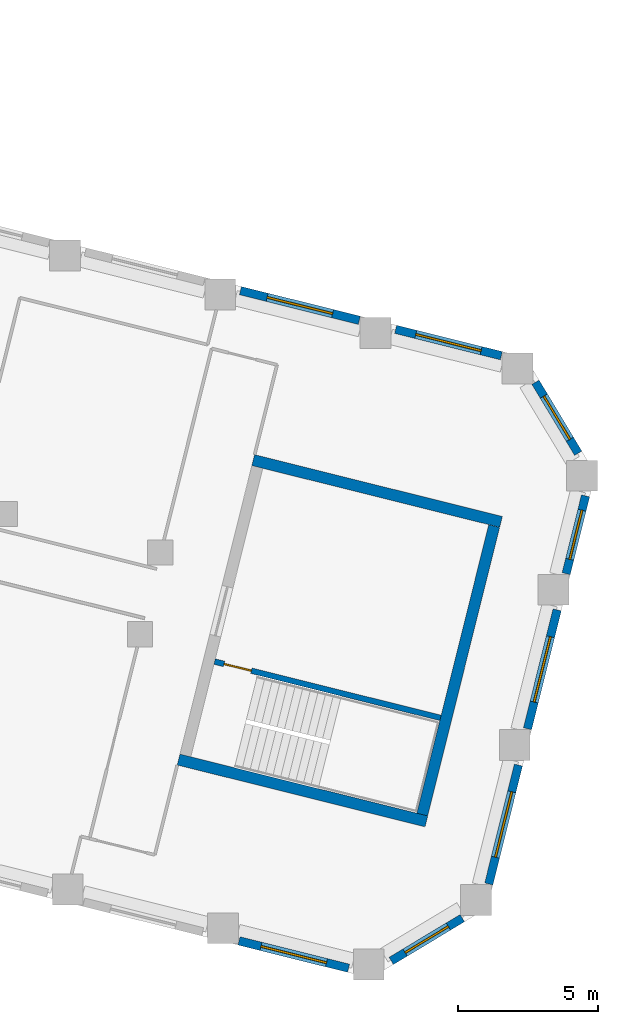
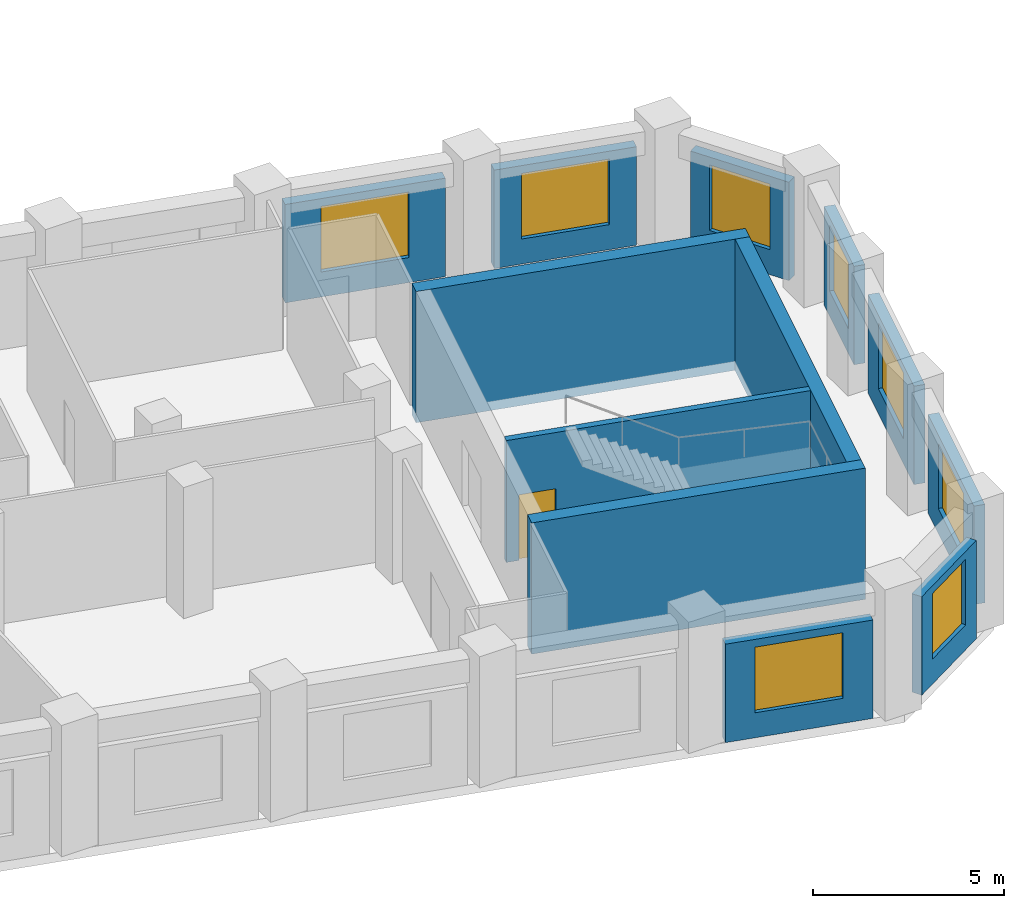
# One storey, part 7 of 10: 12 walls, 8 windows, 1 door, 9 openings.
"""IFC4 building model written with IfcOpenShell, lengths in metres."""

from ifc_helpers import new_model, si_unit, direction, frame, frame_2d, origin, place, context, subcontext, project, spatial, rectangle, extrude, material, layer, layer_set, type_object, element, fill, save


model = new_model("IFC4")

# Units and contexts
model_context = context("Model", 3, precision=1e-05, world=origin(), true_north=direction((0.0, 1.0)))
body_context = subcontext(model_context, "Body", "Model", "MODEL_VIEW")
ifc_project = project(units=[si_unit("LENGTHUNIT", "METRE"), si_unit("AREAUNIT", "SQUARE_METRE"), si_unit("VOLUMEUNIT", "CUBIC_METRE"), si_unit("PLANEANGLEUNIT", "RADIAN"), si_unit("MASSUNIT", "GRAM", prefix="KILO")], contexts=[model_context])

# Site, building, storey
site_placement = place(None, origin())
site = spatial("IfcSite", under=ifc_project, at=site_placement, CompositionType="ELEMENT")
building_placement = place(site_placement, origin())
building = spatial("IfcBuilding", under=site, at=building_placement, Name="Meshkara Civic Tower", CompositionType="ELEMENT")
storey_placement = place(building_placement, frame((0.0, 0.0, 255.0)))
storey = spatial("IfcBuildingStorey", under=building, at=storey_placement, Name="L58", CompositionType="ELEMENT", Elevation=255.0)

# Wall, opening, window
ifc_material_1 = material(Name="Insulated infill panel with bronze anodised aluminium cladding", Category="aluminium")
ifc_layer_1 = layer(ifc_material_1, 0.300048828125)
ifc_layer_set_1 = layer_set([ifc_layer_1], Name="EXTERNAL INFILL WALL 300")
wall_type_1 = type_object("IfcWallType", Name="EXTERNAL INFILL WALL 300", PredefinedType="SOLIDWALL", material=ifc_layer_set_1)
wall_1_placement = place(storey_placement, frame((71.02001953125, 5.635986328125, 0.0), z_axis=(0.0, 0.0, 1.0), x_axis=(-0.970297701374, 0.241913973777, 0.0)))
wall_1 = element("IfcWall", 1, at=wall_1_placement, inside=storey, type_object=wall_type_1, Name="External wall", PredefinedType="SOLIDWALL", context=body_context, shape_type="SweptSolid", body=[
    extrude(rectangle(XDim=3.88134765625, YDim=0.300048828125, at=frame_2d((1.940673828125, 0.0))), origin(), (0.0, 0.0, 1.0), 3.14990234375),
])
opening_1_placement = place(wall_1_placement, frame((0.740966796875, 0.0, 0.800048828125)))
opening_1 = element("IfcOpeningElement", 2, at=opening_1_placement, cuts=wall_1, Name="Opening W7", PredefinedType="OPENING", context=body_context, shape_type="SweptSolid", body=[
    extrude(rectangle(XDim=2.39990234375, YDim=2.10009765625, at=frame_2d((1.199951171875, 1.050048828125))), frame((0.0, 0.159912109375, 0.0), z_axis=(0.0, -1.0, 0.0), x_axis=(1.0, 0.0, 0.0)), (0.0, 0.0, 1.0), 0.320068359375),
])
ifc_material_2 = material(Name="Tinted double glazing", Category="glass")
window_type_1 = type_object("IfcWindowType", Name="WINDOW 2400x2100", PartitioningType="DOUBLE_PANEL_VERTICAL", PredefinedType="WINDOW", material=ifc_material_2)
window_1_placement = place(opening_1_placement, origin())
window_1 = element("IfcWindow", 3, at=window_1_placement, inside=storey, type_object=window_type_1, Name="Window", OverallHeight=2.10009765625, OverallWidth=2.39990234375, PartitioningType="DOUBLE_PANEL_VERTICAL", PredefinedType="WINDOW", context=body_context, shape_type="SweptSolid", body=[
    extrude(rectangle(XDim=2.39990234375, YDim=2.10009765625, at=frame_2d((1.199951171875, 1.050048828125))), frame((0.0, 0.030029296875, 0.0), z_axis=(0.0, -1.0, 0.0), x_axis=(1.0, 0.0, 0.0)), (0.0, 0.0, 1.0), 0.06005859375),
])
fill(opening_1, window_1)

wall_2_placement = place(storey_placement, frame((65.9599609375, 6.89794921875, 0.0), z_axis=(0.0, 0.0, 1.0), x_axis=(-0.970309996763, 0.241864652607, 0.0)))
wall_2 = element("IfcWall", 4, at=wall_2_placement, inside=storey, type_object=wall_type_1, Name="External wall", PredefinedType="SOLIDWALL", context=body_context, shape_type="SweptSolid", body=[
    extrude(rectangle(XDim=4.36669921875, YDim=0.300048828125, at=frame_2d((2.183349609375, 0.0))), origin(), (0.0, 0.0, 1.0), 3.14990234375),
])
opening_2_placement = place(wall_2_placement, frame((0.98291015625, 0.0, 0.800048828125)))
opening_2 = element("IfcOpeningElement", 5, at=opening_2_placement, cuts=wall_2, Name="Opening W7", PredefinedType="OPENING", context=body_context, shape_type="SweptSolid", body=[
    extrude(rectangle(XDim=2.39990234375, YDim=2.10009765625, at=frame_2d((1.199951171875, 1.050048828125))), frame((0.0, 0.159912109375, 0.0), z_axis=(0.0, -1.0, 0.0), x_axis=(1.0, 0.0, 0.0)), (0.0, 0.0, 1.0), 0.320068359375),
])
window_2_placement = place(opening_2_placement, origin())
window_2 = element("IfcWindow", 6, at=window_2_placement, inside=storey, type_object=window_type_1, Name="Window", OverallHeight=2.10009765625, OverallWidth=2.39990234375, PartitioningType="DOUBLE_PANEL_VERTICAL", PredefinedType="WINDOW", context=body_context, shape_type="SweptSolid", body=[
    extrude(rectangle(XDim=2.39990234375, YDim=2.10009765625, at=frame_2d((1.199951171875, 1.050048828125))), frame((0.0, 0.030029296875, 0.0), z_axis=(0.0, -1.0, 0.0), x_axis=(1.0, 0.0, 0.0)), (0.0, 0.0, 1.0), 0.06005859375),
])
fill(opening_2, window_2)

wall_3_placement = place(storey_placement, frame((61.6708984375, -15.220947265625, 0.0), z_axis=(0.0, 0.0, 1.0), x_axis=(0.97026726112, -0.242036034503, 0.0)))
wall_3 = element("IfcWall", 7, at=wall_3_placement, inside=storey, type_object=wall_type_1, Name="External wall", PredefinedType="SOLIDWALL", context=body_context, shape_type="SweptSolid", body=[
    extrude(rectangle(XDim=4.024658203125, YDim=0.300048828125, at=frame_2d((2.01220703125, 0.0))), origin(), (0.0, 0.0, 1.0), 3.14990234375),
])
opening_3_placement = place(wall_3_placement, frame((0.81201171875, 0.0, 0.800048828125)))
opening_3 = element("IfcOpeningElement", 8, at=opening_3_placement, cuts=wall_3, Name="Opening W7", PredefinedType="OPENING", context=body_context, shape_type="SweptSolid", body=[
    extrude(rectangle(XDim=2.39990234375, YDim=2.10009765625, at=frame_2d((1.199951171875, 1.050048828125))), frame((0.0, 0.159912109375, 0.0), z_axis=(0.0, -1.0, 0.0), x_axis=(1.0, 0.0, 0.0)), (0.0, 0.0, 1.0), 0.320068359375),
])
window_3_placement = place(opening_3_placement, origin())
window_3 = element("IfcWindow", 9, at=window_3_placement, inside=storey, type_object=window_type_1, Name="Window", OverallHeight=2.10009765625, OverallWidth=2.39990234375, PartitioningType="DOUBLE_PANEL_VERTICAL", PredefinedType="WINDOW", context=body_context, shape_type="SweptSolid", body=[
    extrude(rectangle(XDim=2.39990234375, YDim=2.10009765625, at=frame_2d((1.199951171875, 1.050048828125))), frame((0.0, 0.030029296875, 0.0), z_axis=(0.0, -1.0, 0.0), x_axis=(1.0, 0.0, 0.0)), (0.0, 0.0, 1.0), 0.06005859375),
])
fill(opening_3, window_3)

wall_4_placement = place(storey_placement, frame((67.097900390625, -15.93408203125, 0.0), z_axis=(0.0, 0.0, 1.0), x_axis=(0.857077006791, 0.515188319384, 0.0)))
wall_4 = element("IfcWall", 10, at=wall_4_placement, inside=storey, type_object=wall_type_1, Name="External wall", PredefinedType="SOLIDWALL", context=body_context, shape_type="SweptSolid", body=[
    extrude(rectangle(XDim=2.9541015625, YDim=0.300048828125, at=frame_2d((1.47705078125, 0.0))), origin(), (0.0, 0.0, 1.0), 3.14990234375),
])
opening_4_placement = place(wall_4_placement, frame((0.576904296875, 0.0, 0.800048828125)))
opening_4 = element("IfcOpeningElement", 11, at=opening_4_placement, cuts=wall_4, Name="Opening W9", PredefinedType="OPENING", context=body_context, shape_type="SweptSolid", body=[
    extrude(rectangle(XDim=1.800048828125, YDim=2.10009765625, at=frame_2d((0.89990234375, 1.050048828125))), frame((0.0, 0.159912109375, 0.0), z_axis=(0.0, -1.0, 0.0), x_axis=(1.0, 0.0, 0.0)), (0.0, 0.0, 1.0), 0.320068359375),
])
ifc_material_3 = material(Name="Tinted double glazing", Category="glass")
window_type_2 = type_object("IfcWindowType", Name="WINDOW 1800x2100", PartitioningType="DOUBLE_PANEL_VERTICAL", PredefinedType="WINDOW", material=ifc_material_3)
window_4_placement = place(opening_4_placement, origin())
window_4 = element("IfcWindow", 12, at=window_4_placement, inside=storey, type_object=window_type_2, Name="Window", OverallHeight=2.10009765625, OverallWidth=1.800048828125, PartitioningType="DOUBLE_PANEL_VERTICAL", PredefinedType="WINDOW", context=body_context, shape_type="SweptSolid", body=[
    extrude(rectangle(XDim=1.800048828125, YDim=2.10009765625, at=frame_2d((0.89990234375, 1.050048828125))), frame((0.0, 0.030029296875, 0.0), z_axis=(0.0, -1.0, 0.0), x_axis=(1.0, 0.0, 0.0)), (0.0, 0.0, 1.0), 0.06005859375),
])
fill(opening_4, window_4)

wall_5_placement = place(storey_placement, frame((70.574951171875, -13.19189453125, 0.0), z_axis=(0.0, 0.0, 1.0), x_axis=(0.241877774353, 0.970306725873, 0.0)))
wall_5 = element("IfcWall", 13, at=wall_5_placement, inside=storey, type_object=wall_type_1, Name="External wall", PredefinedType="SOLIDWALL", context=body_context, shape_type="SweptSolid", body=[
    extrude(rectangle(XDim=4.366455078125, YDim=0.300048828125, at=frame_2d((2.18310546875, 0.0))), origin(), (0.0, 0.0, 1.0), 3.14990234375),
])
opening_5_placement = place(wall_5_placement, frame((0.98291015625, 0.0, 0.800048828125)))
opening_5 = element("IfcOpeningElement", 14, at=opening_5_placement, cuts=wall_5, Name="Opening W7", PredefinedType="OPENING", context=body_context, shape_type="SweptSolid", body=[
    extrude(rectangle(XDim=2.39990234375, YDim=2.10009765625, at=frame_2d((1.199951171875, 1.050048828125))), frame((0.0, 0.159912109375, 0.0), z_axis=(0.0, -1.0, 0.0), x_axis=(1.0, 0.0, 0.0)), (0.0, 0.0, 1.0), 0.320068359375),
])
window_5_placement = place(opening_5_placement, origin())
window_5 = element("IfcWindow", 15, at=window_5_placement, inside=storey, type_object=window_type_1, Name="Window", OverallHeight=2.10009765625, OverallWidth=2.39990234375, PartitioningType="DOUBLE_PANEL_VERTICAL", PredefinedType="WINDOW", context=body_context, shape_type="SweptSolid", body=[
    extrude(rectangle(XDim=2.39990234375, YDim=2.10009765625, at=frame_2d((1.199951171875, 1.050048828125))), frame((0.0, 0.030029296875, 0.0), z_axis=(0.0, -1.0, 0.0), x_axis=(1.0, 0.0, 0.0)), (0.0, 0.0, 1.0), 0.06005859375),
])
fill(opening_5, window_5)

wall_6_placement = place(storey_placement, frame((71.9541015625, -7.660888671875, 0.0), z_axis=(0.0, 0.0, 1.0), x_axis=(0.241877622649, 0.97030676369, 0.0)))
wall_6 = element("IfcWall", 16, at=wall_6_placement, inside=storey, type_object=wall_type_1, Name="External wall", PredefinedType="SOLIDWALL", context=body_context, shape_type="SweptSolid", body=[
    extrude(rectangle(XDim=4.365478515625, YDim=0.300048828125, at=frame_2d((2.1826171875, 0.0))), origin(), (0.0, 0.0, 1.0), 3.14990234375),
])
opening_6_placement = place(wall_6_placement, frame((0.98291015625, 0.0, 0.800048828125)))
opening_6 = element("IfcOpeningElement", 17, at=opening_6_placement, cuts=wall_6, Name="Opening W7", PredefinedType="OPENING", context=body_context, shape_type="SweptSolid", body=[
    extrude(rectangle(XDim=2.39990234375, YDim=2.10009765625, at=frame_2d((1.199951171875, 1.050048828125))), frame((0.0, 0.159912109375, 0.0), z_axis=(0.0, -1.0, 0.0), x_axis=(1.0, 0.0, 0.0)), (0.0, 0.0, 1.0), 0.320068359375),
])
window_6_placement = place(opening_6_placement, origin())
window_6 = element("IfcWindow", 18, at=window_6_placement, inside=storey, type_object=window_type_1, Name="Window", OverallHeight=2.10009765625, OverallWidth=2.39990234375, PartitioningType="DOUBLE_PANEL_VERTICAL", PredefinedType="WINDOW", context=body_context, shape_type="SweptSolid", body=[
    extrude(rectangle(XDim=2.39990234375, YDim=2.10009765625, at=frame_2d((1.199951171875, 1.050048828125))), frame((0.0, 0.030029296875, 0.0), z_axis=(0.0, -1.0, 0.0), x_axis=(1.0, 0.0, 0.0)), (0.0, 0.0, 1.0), 0.06005859375),
])
fill(opening_6, window_6)

wall_7_placement = place(storey_placement, frame((73.3330078125, -2.131103515625, 0.0), z_axis=(0.0, 0.0, 1.0), x_axis=(0.241770612026, 0.970333432981, 0.0)))
wall_7 = element("IfcWall", 19, at=wall_7_placement, inside=storey, type_object=wall_type_1, Name="External wall", PredefinedType="SOLIDWALL", context=body_context, shape_type="SweptSolid", body=[
    extrude(rectangle(XDim=2.853759765625, YDim=0.300048828125, at=frame_2d((1.4267578125, 0.0))), origin(), (0.0, 0.0, 1.0), 3.14990234375),
])
opening_7_placement = place(wall_7_placement, frame((0.527099609375, 0.0, 0.800048828125)))
opening_7 = element("IfcOpeningElement", 20, at=opening_7_placement, cuts=wall_7, Name="Opening W9", PredefinedType="OPENING", context=body_context, shape_type="SweptSolid", body=[
    extrude(rectangle(XDim=1.800048828125, YDim=2.10009765625, at=frame_2d((0.89990234375, 1.050048828125))), frame((0.0, 0.159912109375, 0.0), z_axis=(0.0, -1.0, 0.0), x_axis=(1.0, 0.0, 0.0)), (0.0, 0.0, 1.0), 0.320068359375),
])
window_7_placement = place(opening_7_placement, origin())
window_7 = element("IfcWindow", 21, at=window_7_placement, inside=storey, type_object=window_type_2, Name="Window", OverallHeight=2.10009765625, OverallWidth=1.800048828125, PartitioningType="DOUBLE_PANEL_VERTICAL", PredefinedType="WINDOW", context=body_context, shape_type="SweptSolid", body=[
    extrude(rectangle(XDim=1.800048828125, YDim=2.10009765625, at=frame_2d((0.89990234375, 1.050048828125))), frame((0.0, 0.030029296875, 0.0), z_axis=(0.0, -1.0, 0.0), x_axis=(1.0, 0.0, 0.0)), (0.0, 0.0, 1.0), 0.06005859375),
])
fill(opening_7, window_7)

wall_8_placement = place(storey_placement, frame((73.761962890625, 2.159912109375, 0.0), z_axis=(0.0, 0.0, 1.0), x_axis=(-0.515334317037, 0.856989230786, 0.0)))
wall_8 = element("IfcWall", 22, at=wall_8_placement, inside=storey, type_object=wall_type_1, Name="External wall", PredefinedType="SOLIDWALL", context=body_context, shape_type="SweptSolid", body=[
    extrude(rectangle(XDim=2.953369140625, YDim=0.300048828125, at=frame_2d((1.4765625, 0.0))), origin(), (0.0, 0.0, 1.0), 3.14990234375),
])
opening_8_placement = place(wall_8_placement, frame((0.576904296875, 0.0, 0.800048828125)))
opening_8 = element("IfcOpeningElement", 23, at=opening_8_placement, cuts=wall_8, Name="Opening W9", PredefinedType="OPENING", context=body_context, shape_type="SweptSolid", body=[
    extrude(rectangle(XDim=1.800048828125, YDim=2.10009765625, at=frame_2d((0.89990234375, 1.050048828125))), frame((0.0, 0.159912109375, 0.0), z_axis=(0.0, -1.0, 0.0), x_axis=(1.0, 0.0, 0.0)), (0.0, 0.0, 1.0), 0.320068359375),
])
window_8_placement = place(opening_8_placement, origin())
window_8 = element("IfcWindow", 24, at=window_8_placement, inside=storey, type_object=window_type_2, Name="Window", OverallHeight=2.10009765625, OverallWidth=1.800048828125, PartitioningType="DOUBLE_PANEL_VERTICAL", PredefinedType="WINDOW", context=body_context, shape_type="SweptSolid", body=[
    extrude(rectangle(XDim=1.800048828125, YDim=2.10009765625, at=frame_2d((0.89990234375, 1.050048828125))), frame((0.0, 0.030029296875, 0.0), z_axis=(0.0, -1.0, 0.0), x_axis=(1.0, 0.0, 0.0)), (0.0, 0.0, 1.0), 0.06005859375),
])
fill(opening_8, window_8)

# Walls
ifc_material_4 = material(Name="Concrete C60", Category="concrete")
ifc_layer_2 = layer(ifc_material_4, 0.39990234375)
ifc_layer_set_2 = layer_set([ifc_layer_2], Name="End core ring wall 400 C60")
wall_type_2 = type_object("IfcWallType", Name="End core ring wall 400 C60", PredefinedType="SHEAR", material=ifc_layer_set_2)
wall_9_placement = place(storey_placement, frame((59.51904296875, -8.759033203125, -0.300048828125), z_axis=(0.0, 0.0, 1.0), x_axis=(0.970287509026, -0.241954850805, 0.0)))
element("IfcWall", 25, at=wall_9_placement, inside=storey, type_object=wall_type_2, Name="L58-C028", PredefinedType="SHEAR", context=body_context, shape_type="SweptSolid", body=[
    extrude(rectangle(XDim=9.1005859375, YDim=0.39990234375, at=frame_2d((4.55029296875, 0.0))), origin(), (0.0, 0.0, 1.0), 4.199951171875),
])
wall_10_placement = place(storey_placement, frame((62.179931640625, 1.9140625, -0.300048828125), z_axis=(0.0, 0.0, 1.0), x_axis=(0.970306400786, -0.241879078453, 0.0)))
element("IfcWall", 26, at=wall_10_placement, inside=storey, type_object=wall_type_2, Name="L58-C029", PredefinedType="SHEAR", context=body_context, shape_type="SweptSolid", body=[
    extrude(rectangle(XDim=9.100341796875, YDim=0.39990234375, at=frame_2d((4.55029296875, 0.0))), origin(), (0.0, 0.0, 1.0), 4.199951171875),
])
wall_11_placement = place(storey_placement, frame((68.202880859375, -10.718017578125, -0.300048828125), z_axis=(0.0, 0.0, 1.0), x_axis=(0.241912337509, 0.970298109326, 0.0)))
element("IfcWall", 27, at=wall_11_placement, inside=storey, type_object=wall_type_2, Name="L58-C031", PredefinedType="SHEAR", context=body_context, shape_type="SweptSolid", body=[
    extrude(rectangle(XDim=10.599853515625, YDim=0.39990234375, at=frame_2d((5.2998046875, 0.0))), origin(), (0.0, 0.0, 1.0), 4.199951171875),
])

# Wall, opening, door
ifc_material_5 = material(Name="Concrete C40/50", Category="concrete")
ifc_layer_3 = layer(ifc_material_5, 0.199951171875)
ifc_layer_set_3 = layer_set([ifc_layer_3], Name="Stair enclosure wall 200 C40/50")
wall_type_3 = type_object("IfcWallType", Name="Stair enclosure wall 200 C40/50", PredefinedType="SOLIDWALL", material=ifc_layer_set_3)
wall_12_placement = place(storey_placement, frame((60.802001953125, -5.26611328125, 0.0), z_axis=(0.0, 0.0, 1.0), x_axis=(0.970303192681, -0.241891947516, 0.0)))
wall_12 = element("IfcWall", 28, at=wall_12_placement, inside=storey, type_object=wall_type_3, Name="L58-C032", PredefinedType="SOLIDWALL", context=body_context, shape_type="SweptSolid", body=[
    extrude(rectangle(XDim=8.300537109375, YDim=0.199951171875, at=frame_2d((4.150390625, 0.0))), origin(), (0.0, 0.0, 1.0), 3.89990234375),
])
opening_9_placement = place(wall_12_placement, frame((0.35009765625, 0.0, 0.0)))
opening_9 = element("IfcOpeningElement", 29, at=opening_9_placement, cuts=wall_12, Name="Opening L58-K201", PredefinedType="OPENING", context=body_context, shape_type="SweptSolid", body=[
    extrude(rectangle(XDim=1.0, YDim=2.10009765625, at=frame_2d((0.5, 1.050048828125))), frame((0.0, 0.10986328125, 0.0), z_axis=(0.0, -1.0, 0.0), x_axis=(1.0, 0.0, 0.0)), (0.0, 0.0, 1.0), 0.219970703125),
])
ifc_material_6 = material(Name="Fire-rated door leaf in steel frame", Category="steel")
door_type = type_object("IfcDoorType", Name="Stair door 1000 EI 120", OperationType="SINGLE_SWING_LEFT", PredefinedType="DOOR", material=ifc_material_6)
door_placement = place(opening_9_placement, origin())
door = element("IfcDoor", 30, at=door_placement, inside=storey, type_object=door_type, Name="L58-K201", OperationType="SINGLE_SWING_LEFT", OverallHeight=2.10009765625, OverallWidth=1.0, PredefinedType="DOOR", context=body_context, shape_type="SweptSolid", body=[
    extrude(rectangle(XDim=1.0, YDim=2.10009765625, at=frame_2d((0.5, 1.050048828125))), frame((0.0, 0.02490234375, 0.0), z_axis=(0.0, -1.0, 0.0), x_axis=(1.0, 0.0, 0.0)), (0.0, 0.0, 1.0), 0.050048828125),
])
fill(opening_9, door)

save(model, "model.ifc")
